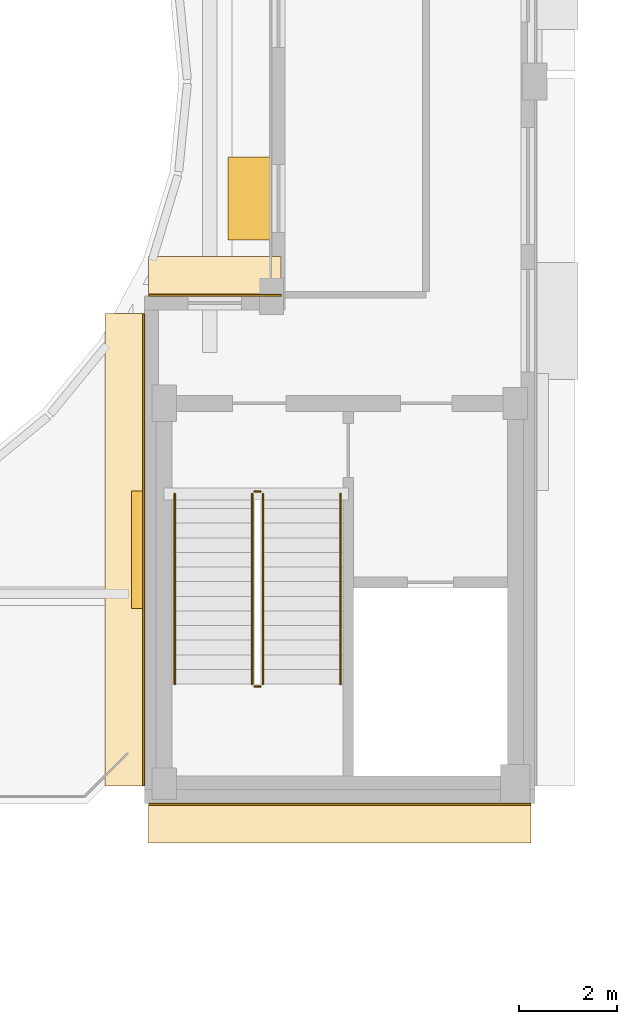
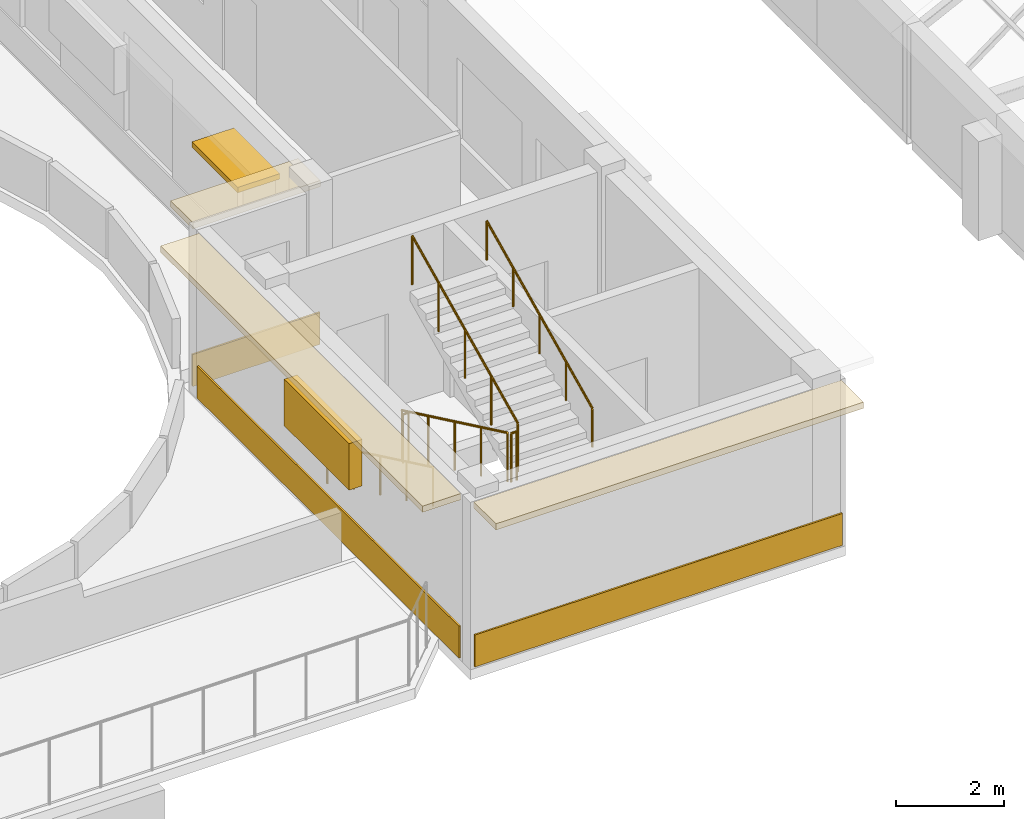
# One storey, part 73 of 78: 6 coverings, 6 railings, 2 shading devices.
"""IFC4 building model written with IfcOpenShell, lengths in metres."""

from ifc_helpers import new_model, si_unit, direction, frame, origin, origin_2d, place, context, subcontext, project, spatial, rectangle, circle, extrude, material, layer, layer_set, type_object, element, save


model = new_model("IFC4")

# Units and contexts
model_context = context("Model", 3, precision=1e-05, world=origin(), true_north=direction((0.0, 1.0)))
body_context = subcontext(model_context, "Body", "Model", "MODEL_VIEW")
ifc_project = project(units=[si_unit("LENGTHUNIT", "METRE"), si_unit("AREAUNIT", "SQUARE_METRE"), si_unit("VOLUMEUNIT", "CUBIC_METRE"), si_unit("PLANEANGLEUNIT", "RADIAN"), si_unit("MASSUNIT", "GRAM", prefix="KILO")], contexts=[model_context])

# Site, building, storey
site_placement = place(None, origin())
site = spatial("IfcSite", under=ifc_project, at=site_placement, CompositionType="ELEMENT")
building_placement = place(site_placement, origin())
building = spatial("IfcBuilding", under=site, at=building_placement, Name="Kelanivale Promenade Academy", CompositionType="ELEMENT")
storey_placement = place(building_placement, frame((0.0, 0.0, 16.199951171875)))
storey = spatial("IfcBuildingStorey", under=building, at=storey_placement, Name="L04", CompositionType="ELEMENT", Elevation=16.199951171875)

# Coverings
ifc_material_1 = material(Name="Warm ivory Art Deco stucco frieze band 40 mm", Category="masonry")
ifc_layer_1 = layer(ifc_material_1, 0.0400390625)
ifc_layer_set_1 = layer_set([ifc_layer_1], Name="Warm ivory Art Deco stucco frieze band 40 mm")
covering_type = type_object("IfcCoveringType", Name="COV-CLD2 Warm ivory Art Deco stucco frieze ba", PredefinedType="CLADDING", material=ifc_layer_set_1)
covering_1_placement = place(storey_placement, frame((109.0400390625, 52.800048828125, 3.6201171875), z_axis=(0.0, 0.0, 1.0), x_axis=(-1.0, 0.0, 0.0)))
element("IfcCovering", 1, at=covering_1_placement, inside=storey, type_object=covering_type, Name="Art Deco projecting 820 mm streamline sunshade eyebrow ledge", PredefinedType="CLADDING", context=body_context, shape_type="SweptSolid", body=[
    extrude(rectangle(XDim=2.719970703125, YDim=0.820068359375, at=origin_2d()), origin(), (0.0, 0.0, 1.0), 0.139892578125),
])
covering_2_placement = place(storey_placement, frame((109.0400390625, 52.4150390625, 0.06005859375), z_axis=(0.0, 0.0, 1.0), x_axis=(-1.0, 0.0, 0.0)))
element("IfcCovering", 2, at=covering_2_placement, inside=storey, type_object=covering_type, Name="Art Deco ivory stucco sill frieze band", PredefinedType="CLADDING", context=body_context, shape_type="SweptSolid", body=[
    extrude(rectangle(XDim=2.719970703125, YDim=0.0400390625, at=origin_2d()), origin(), (0.0, 0.0, 1.0), 0.719970703125),
])
covering_3_placement = place(storey_placement, frame((107.199951171875, 47.199951171875, 3.6201171875), z_axis=(0.0, 0.0, 1.0), x_axis=(0.0, -1.0, 0.0)))
element("IfcCovering", 3, at=covering_3_placement, inside=storey, type_object=covering_type, Name="Art Deco projecting 820 mm streamline sunshade eyebrow ledge", PredefinedType="CLADDING", context=body_context, shape_type="SweptSolid", body=[
    extrude(rectangle(XDim=9.679931640625, YDim=0.820068359375, at=origin_2d()), origin(), (0.0, 0.0, 1.0), 0.139892578125),
])
covering_4_placement = place(storey_placement, frame((107.5849609375, 47.199951171875, 0.06005859375), z_axis=(0.0, 0.0, 1.0), x_axis=(0.0, -1.0, 0.0)))
element("IfcCovering", 4, at=covering_4_placement, inside=storey, type_object=covering_type, Name="Art Deco ivory stucco sill frieze band", PredefinedType="CLADDING", context=body_context, shape_type="SweptSolid", body=[
    extrude(rectangle(XDim=9.679931640625, YDim=0.0400390625, at=origin_2d()), origin(), (0.0, 0.0, 1.0), 0.719970703125),
])
covering_5_placement = place(storey_placement, frame((111.60009765625, 41.60009765625, 3.6201171875), z_axis=(0.0, 0.0, 1.0), x_axis=(1.0, 0.0, 0.0)))
element("IfcCovering", 5, at=covering_5_placement, inside=storey, type_object=covering_type, Name="Art Deco projecting 820 mm streamline sunshade eyebrow ledge", PredefinedType="CLADDING", context=body_context, shape_type="SweptSolid", body=[
    extrude(rectangle(XDim=7.840087890625, YDim=0.820068359375, at=origin_2d()), origin(), (0.0, 0.0, 1.0), 0.139892578125),
])
covering_6_placement = place(storey_placement, frame((111.60009765625, 41.985107421875, 0.06005859375), z_axis=(0.0, 0.0, 1.0), x_axis=(1.0, 0.0, 0.0)))
element("IfcCovering", 6, at=covering_6_placement, inside=storey, type_object=covering_type, Name="Art Deco ivory stucco sill frieze band", PredefinedType="CLADDING", context=body_context, shape_type="SweptSolid", body=[
    extrude(rectangle(XDim=7.840087890625, YDim=0.0400390625, at=origin_2d()), origin(), (0.0, 0.0, 1.0), 0.719970703125),
])

# Railings
ifc_material_2 = material(Name="Brushed stainless steel grade 316", Category="steel")
railing_type_1 = type_object("IfcRailingType", Name="GR-01 Stair Guard 1100mm", PredefinedType="BALUSTRADE", material=ifc_material_2)
railing_1_placement = place(storey_placement, frame((109.804931640625, 48.344970703125, 0.142822265625)))
element("IfcRailing", 7, at=railing_1_placement, inside=storey, type_object=railing_type_1, Name="L04 ST-03 stair guard 1", PredefinedType="BALUSTRADE", context=body_context, shape_type="SweptSolid", body=[
    extrude(circle(Radius=0.02392578125, at=origin_2d()), frame((0.0, 0.0, 1.09619140625), z_axis=(0.0, -0.902853205547, 0.429948937937), x_axis=(1.0, 0.0, 0.0)), (0.0, 0.0, 1.0), 4.319580078125),
    extrude(circle(Radius=0.02099609375, at=origin_2d()), origin(), (0.0, 0.0, 1.0), 1.072021484375),
    extrude(circle(Radius=0.02099609375, at=origin_2d()), frame((0.0, -0.97509765625, 0.46435546875)), (0.0, 0.0, 1.0), 1.072021484375),
    extrude(circle(Radius=0.02099609375, at=origin_2d()), frame((0.0, -1.949951171875, 0.9287109375)), (0.0, 0.0, 1.0), 1.072021484375),
    extrude(circle(Radius=0.02099609375, at=origin_2d()), frame((0.0, -2.9248046875, 1.392822265625)), (0.0, 0.0, 1.0), 1.072021484375),
    extrude(circle(Radius=0.02099609375, at=origin_2d()), frame((0.0, -3.89990234375, 1.857177734375)), (0.0, 0.0, 1.0), 1.072021484375),
])
railing_2_placement = place(storey_placement, frame((109.85498046875, 44.39501953125, 2.0)))
element("IfcRailing", 8, at=railing_2_placement, inside=storey, type_object=railing_type_1, Name="L04 ST-03 stair guard 2", PredefinedType="BALUSTRADE", context=body_context, shape_type="SweptSolid", body=[
    extrude(circle(Radius=0.02392578125, at=origin_2d()), frame((0.0, 0.0, 1.09619140625), z_axis=(1.0, 0.0, 0.0), x_axis=(0.0, 1.0, 0.0)), (0.0, 0.0, 1.0), 0.1201171875),
    extrude(circle(Radius=0.02099609375, at=origin_2d()), origin(), (0.0, 0.0, 1.0), 1.072021484375),
    extrude(circle(Radius=0.02099609375, at=origin_2d()), frame((0.1201171875, 0.0, 0.0)), (0.0, 0.0, 1.0), 1.072021484375),
])
railing_3_placement = place(storey_placement, frame((110.02490234375, 44.445068359375, 2.142822265625)))
element("IfcRailing", 9, at=railing_3_placement, inside=storey, type_object=railing_type_1, Name="L04 ST-03 stair guard 3", PredefinedType="BALUSTRADE", context=body_context, shape_type="SweptSolid", body=[
    extrude(circle(Radius=0.02392578125, at=origin_2d()), frame((0.0, 0.0, 1.09619140625), z_axis=(0.0, 0.902853205547, 0.429948937937), x_axis=(-1.0, 0.0, 0.0)), (0.0, 0.0, 1.0), 4.319580078125),
    extrude(circle(Radius=0.02099609375, at=origin_2d()), origin(), (0.0, 0.0, 1.0), 1.072021484375),
    extrude(circle(Radius=0.02099609375, at=origin_2d()), frame((0.0, 0.97509765625, 0.46435546875)), (0.0, 0.0, 1.0), 1.072021484375),
    extrude(circle(Radius=0.02099609375, at=origin_2d()), frame((0.0, 1.949951171875, 0.9287109375)), (0.0, 0.0, 1.0), 1.072021484375),
    extrude(circle(Radius=0.02099609375, at=origin_2d()), frame((0.0, 2.9248046875, 1.392822265625)), (0.0, 0.0, 1.0), 1.072021484375),
    extrude(circle(Radius=0.02099609375, at=origin_2d()), frame((0.0, 3.89990234375, 1.857177734375)), (0.0, 0.0, 1.0), 1.072021484375),
])
railing_4_placement = place(storey_placement, frame((109.85498046875, 48.39501953125, 0.0)))
element("IfcRailing", 10, at=railing_4_placement, inside=storey, type_object=railing_type_1, Name="L04 ST-03 stair guard 4", PredefinedType="BALUSTRADE", context=body_context, shape_type="SweptSolid", body=[
    extrude(circle(Radius=0.02392578125, at=origin_2d()), frame((0.0, 0.0, 1.09619140625), z_axis=(1.0, 0.0, 0.0), x_axis=(0.0, 1.0, 0.0)), (0.0, 0.0, 1.0), 0.1201171875),
    extrude(circle(Radius=0.02099609375, at=origin_2d()), origin(), (0.0, 0.0, 1.0), 1.072021484375),
    extrude(circle(Radius=0.02099609375, at=origin_2d()), frame((0.1201171875, 0.0, 0.0)), (0.0, 0.0, 1.0), 1.072021484375),
])
railing_type_2 = type_object("IfcRailingType", Name="HR-01 Pitch Handrail 900mm", PredefinedType="HANDRAIL", material=ifc_material_2)
railing_5_placement = place(storey_placement, frame((108.215087890625, 48.344970703125, 0.142822265625)))
element("IfcRailing", 11, at=railing_5_placement, inside=storey, type_object=railing_type_2, Name="L04 ST-03 stair handrail 1", PredefinedType="HANDRAIL", context=body_context, shape_type="SweptSolid", body=[
    extrude(circle(Radius=0.02392578125, at=origin_2d()), frame((0.0, 0.0, 0.8759765625), z_axis=(0.0, -0.902853205547, 0.429948937937), x_axis=(1.0, 0.0, 0.0)), (0.0, 0.0, 1.0), 4.319580078125),
    extrude(circle(Radius=0.02099609375, at=origin_2d()), origin(), (0.0, 0.0, 1.0), 0.851806640625),
    extrude(circle(Radius=0.02099609375, at=origin_2d()), frame((0.0, -0.97509765625, 0.46435546875)), (0.0, 0.0, 1.0), 0.851806640625),
    extrude(circle(Radius=0.02099609375, at=origin_2d()), frame((0.0, -1.949951171875, 0.9287109375)), (0.0, 0.0, 1.0), 0.851806640625),
    extrude(circle(Radius=0.02099609375, at=origin_2d()), frame((0.0, -2.9248046875, 1.392822265625)), (0.0, 0.0, 1.0), 0.851806640625),
    extrude(circle(Radius=0.02099609375, at=origin_2d()), frame((0.0, -3.89990234375, 1.857177734375)), (0.0, 0.0, 1.0), 0.851806640625),
])
railing_6_placement = place(storey_placement, frame((111.614990234375, 44.445068359375, 2.142822265625)))
element("IfcRailing", 12, at=railing_6_placement, inside=storey, type_object=railing_type_2, Name="L04 ST-03 stair handrail 2", PredefinedType="HANDRAIL", context=body_context, shape_type="SweptSolid", body=[
    extrude(circle(Radius=0.02392578125, at=origin_2d()), frame((0.0, 0.0, 0.8759765625), z_axis=(0.0, 0.902853205547, 0.429948937937), x_axis=(-1.0, 0.0, 0.0)), (0.0, 0.0, 1.0), 4.319580078125),
    extrude(circle(Radius=0.02099609375, at=origin_2d()), origin(), (0.0, 0.0, 1.0), 0.851806640625),
    extrude(circle(Radius=0.02099609375, at=origin_2d()), frame((0.0, 0.97509765625, 0.46435546875)), (0.0, 0.0, 1.0), 0.851806640625),
    extrude(circle(Radius=0.02099609375, at=origin_2d()), frame((0.0, 1.949951171875, 0.9287109375)), (0.0, 0.0, 1.0), 0.851806640625),
    extrude(circle(Radius=0.02099609375, at=origin_2d()), frame((0.0, 2.9248046875, 1.392822265625)), (0.0, 0.0, 1.0), 0.851806640625),
    extrude(circle(Radius=0.02099609375, at=origin_2d()), frame((0.0, 3.89990234375, 1.857177734375)), (0.0, 0.0, 1.0), 0.851806640625),
])

# Shading devices
ifc_material_3 = material(Name="Precast concrete C40/50", Category="concrete")
ifc_layer_2 = layer(ifc_material_3, 0.1201171875)
ifc_layer_set_2 = layer_set([ifc_layer_2], Name="Precast concrete C40/50")
shading_device_type_1 = type_object("IfcShadingDeviceType", Name="SHD-01 Art Deco Sunshade Eyebrow 900mm", PredefinedType="USERDEFINED", material=ifc_layer_set_2)
shading_device_1_placement = place(storey_placement, frame((109.760009765625, 54.39990234375, 3.159912109375), z_axis=(0.0, 0.0, 1.0), x_axis=(0.0, -1.0, 0.0)))
element("IfcShadingDevice", 13, at=shading_device_1_placement, inside=storey, type_object=shading_device_type_1, Name="Art Deco 900 mm precast chajja window sunshade", ObjectType="SUNSHADE", PredefinedType="USERDEFINED", context=body_context, shape_type="SweptSolid", body=[
    extrude(rectangle(XDim=1.699951171875, YDim=0.89990234375, at=origin_2d()), origin(), (0.0, 0.0, 1.0), 0.1201171875),
])
ifc_material_4 = material(Name="Bronze anodised aluminium EN AW-6063 T6", Category="aluminium")
ifc_layer_3 = layer(ifc_material_4, 0.080078125)
ifc_layer_set_3 = layer_set([ifc_layer_3], Name="Bronze anodised aluminium EN AW-6063 T6")
shading_device_type_2 = type_object("IfcShadingDeviceType", Name="SHD-02 Perforated Brise-Soleil Screen", PredefinedType="JALOUSIE", material=ifc_layer_set_3)
shading_device_2_placement = place(storey_placement, frame((107.465087890625, 47.199951171875, 1.72509765625), z_axis=(0.0, 0.0, 1.0), x_axis=(0.0, -1.0, 0.0)))
element("IfcShadingDevice", 14, at=shading_device_2_placement, inside=storey, type_object=shading_device_type_2, Name="Perforated Art Deco brise-soleil louvre screen", PredefinedType="JALOUSIE", context=body_context, shape_type="SweptSolid", body=[
    extrude(rectangle(XDim=2.39990234375, YDim=0.280029296875, at=origin_2d()), origin(), (0.0, 0.0, 1.0), 1.050048828125),
])

save(model, "model.ifc")
